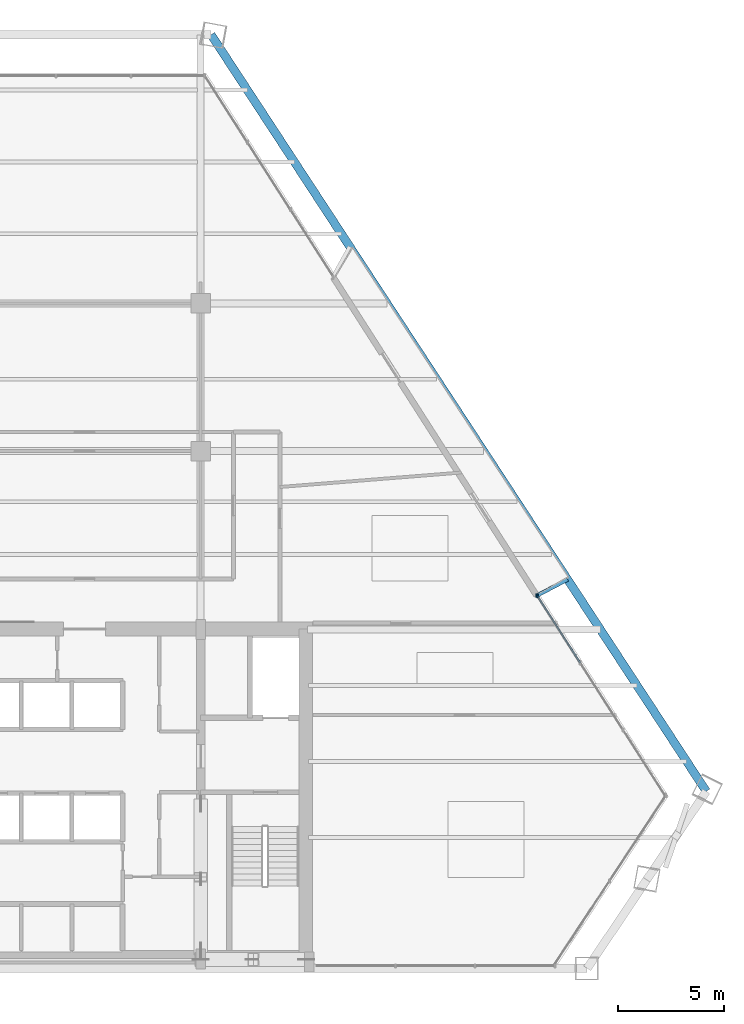
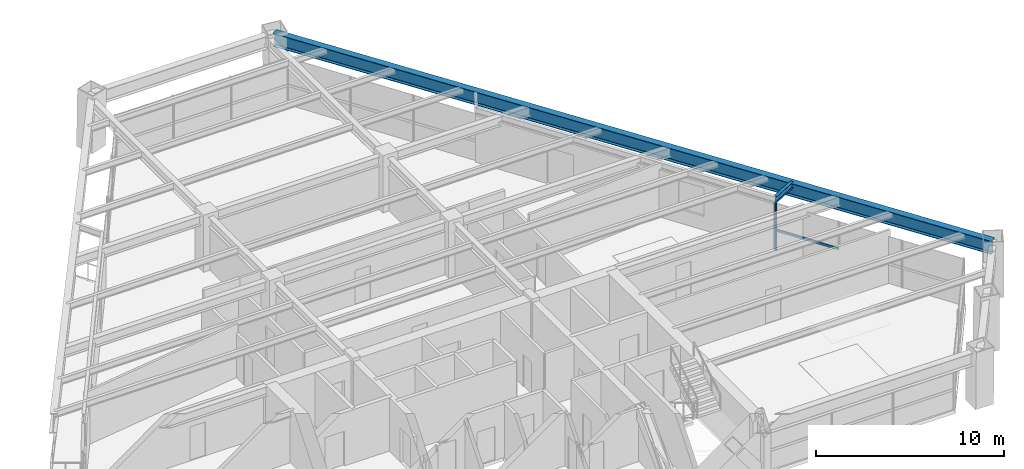
# One storey, part 7 of 14: 3 members, 2 beams, 1 element without a shape of its own.
"""IFC4 building model written with IfcOpenShell, lengths in metres."""

from ifc_helpers import new_model, si_unit, direction, frame, origin, origin_2d, place, context, subcontext, project, spatial, rectangle, i_section, extrude, source, transform, mapped, material, material_profile, profile_set, type_object, type_shapes, element, aggregate, save


model = new_model("IFC4")

# Units and contexts
model_context = context("Model", 3, precision=1e-05, world=origin(), true_north=direction((0.0, 1.0)))
body_context = subcontext(model_context, "Body", "Model", "MODEL_VIEW")
ifc_project = project(units=[si_unit("LENGTHUNIT", "METRE"), si_unit("AREAUNIT", "SQUARE_METRE"), si_unit("VOLUMEUNIT", "CUBIC_METRE"), si_unit("PLANEANGLEUNIT", "RADIAN"), si_unit("MASSUNIT", "GRAM", prefix="KILO")], contexts=[model_context])

# Site, building, storey
site_placement = place(None, origin())
site = spatial("IfcSite", under=ifc_project, at=site_placement, CompositionType="ELEMENT")
building_placement = place(site_placement, origin())
building = spatial("IfcBuilding", under=site, at=building_placement, Name="Varnakhor Terracotta Tower", CompositionType="ELEMENT")
storey_placement = place(building_placement, frame((0.0, 0.0, 125.60009765625)))
storey = spatial("IfcBuildingStorey", under=building, at=storey_placement, Name="L31", CompositionType="ELEMENT", Elevation=125.60009765625)

# Beam
ifc_material_1 = material(Name="Steel S355", Category="steel")
ifc_material_profile_1 = material_profile(ifc_material_1, i_section(OverallWidth=0.39990234375, OverallDepth=0.85498046875, WebThickness=0.01806640625, FlangeThickness=0.029052734375, FilletRadius=0.01806640625, at=origin_2d()), Name="W33X201")
ifc_profile_set_1 = profile_set([ifc_material_profile_1], Name="Steel S355")
beam_type_1 = type_object("IfcBeamType", Name="BM-W33X201", PredefinedType="BEAM", material=ifc_profile_set_1)
shared_shape_1 = source(origin(), body_context, "Body", "SweptSolid", [
    extrude(i_section(OverallWidth=0.39990234375, OverallDepth=0.85498046875, WebThickness=0.01806640625, FlangeThickness=0.029052734375, FilletRadius=0.01806640625, at=origin_2d()), origin(), (0.0, 0.0, 1.0), 42.82470703125),
])
beam_1_placement = place(storey_placement, frame((29.447265625, 8.386962890625, 3.04248046875), z_axis=(-0.547573110506, 0.836757843495, 0.0), x_axis=(-0.836757843495, -0.547573110506, 0.0)))
element("IfcBeam", 1, at=beam_1_placement, inside=storey, type_object=beam_type_1, Name="L31 Perimeter Spandrel 4", PredefinedType="BEAM", context=body_context, shape_type="MappedRepresentation", body=[
    mapped(shared_shape_1, transform((0.0, 0.0, 0.0), scale=1.0)),
])

# Curtain wall, members
ifc_material_2 = material(Name="Anodised Aluminium Curtain Wall System", Category="aluminium")
curtain_wall_type = type_object("IfcCurtainWallType", Name="CW-SYS-MID-OFFICE", PredefinedType="NOTDEFINED", material=ifc_material_2)
curtain_wall_placement = place(storey_placement, origin())
curtain_wall = element("IfcCurtainWall", 2, at=curtain_wall_placement, inside=storey, type_object=curtain_wall_type, Name="L31 E Facet Curtain Wall 2", PredefinedType="NOTDEFINED")
ifc_material_3 = material(Name="Anodised Aluminium 6063-T6", Category="aluminium")
ifc_material_profile_2 = material_profile(ifc_material_3, rectangle(XDim=0.070068359375, YDim=0.175048828125, at=origin_2d()), Name="ALU MULLION 70x175")
ifc_profile_set_2 = profile_set([ifc_material_profile_2], Name="Anodised Aluminium 6063-T6")
member_type_1 = type_object("IfcMemberType", Name="CWM-03", PredefinedType="MULLION", material=ifc_profile_set_2)
shared_shape_2 = source(origin(), body_context, "Body", "SweptSolid", [
    extrude(rectangle(XDim=0.070068359375, YDim=0.175048828125, at=origin_2d()), origin(), (0.0, 0.0, 1.0), 3.0498046875),
])
type_shapes(member_type_1, [shared_shape_2])
member_1_placement = place(storey_placement, frame((21.444091796875, 17.653076171875, 0.0), z_axis=(0.0, 0.0, 1.0), x_axis=(1.0, 0.0, 0.0)))
member_1 = element("IfcMember", 3, at=member_1_placement, type_object=member_type_1, Name="L31 E Facet Curtain Wall 2 Mullion 1", PredefinedType="MULLION", context=body_context, shape_type="MappedRepresentation", body=[
    mapped(shared_shape_2, transform((0.0, 0.0, 0.0), scale=1.0)),
])
member_2_placement = place(storey_placement, frame((21.4111328125, 17.66748046875, 0.0), z_axis=(0.0, 0.0, 1.0), x_axis=(1.0, 0.0, 0.0)))
member_2 = element("IfcMember", 4, at=member_2_placement, type_object=member_type_1, Name="L31 E Loggia Jamb Closure Mullion 2", PredefinedType="MULLION", context=body_context, shape_type="MappedRepresentation", body=[
    mapped(shared_shape_2, transform((0.0, 0.0, 0.0), scale=1.0)),
])
ifc_material_profile_3 = material_profile(ifc_material_3, rectangle(XDim=0.070068359375, YDim=0.155029296875, at=origin_2d()), Name="ALU TRANSOM 70x155")
ifc_profile_set_3 = profile_set([ifc_material_profile_3], Name="Anodised Aluminium 6063-T6")
member_type_2 = type_object("IfcMemberType", Name="CWT-03", PredefinedType="USERDEFINED", material=ifc_profile_set_3)
shared_shape_3 = source(origin(), body_context, "Body", "SweptSolid", [
    extrude(rectangle(XDim=0.070068359375, YDim=0.155029296875, at=origin_2d()), origin(), (0.0, 0.0, 1.0), 3.773193359375),
])
member_3_placement = place(storey_placement, frame((21.444091796875, 17.653076171875, 1.281005859375), z_axis=(0.538666219383, -0.842519260371, 0.0), x_axis=(0.842519260371, 0.538666219383, 0.0)))
member_3 = element("IfcMember", 5, at=member_3_placement, type_object=member_type_2, Name="L31 E Facet Curtain Wall 2 Transom 1", ObjectType="TRANSOM", PredefinedType="USERDEFINED", context=body_context, shape_type="MappedRepresentation", body=[
    mapped(shared_shape_3, transform((0.0, 0.0, 0.0), scale=1.0)),
])
aggregate(curtain_wall, [member_1, member_3, member_2])

# Beam
ifc_material_profile_4 = material_profile(ifc_material_1, i_section(OverallWidth=0.179931640625, OverallDepth=0.39990234375, WebThickness=0.008544921875, FlangeThickness=0.013427734375, FilletRadius=0.01806640625, at=origin_2d()), Name="IPE400")
ifc_profile_set_4 = profile_set([ifc_material_profile_4], Name="Steel S355")
beam_type_2 = type_object("IfcBeamType", Name="JST-IPE400", PredefinedType="JOIST", material=ifc_profile_set_4)
shared_shape_4 = source(origin(), body_context, "Body", "SweptSolid", [
    extrude(i_section(OverallWidth=0.179931640625, OverallDepth=0.39990234375, WebThickness=0.008544921875, FlangeThickness=0.013427734375, FilletRadius=0.01806640625, at=origin_2d()), origin(), (0.0, 0.0, 1.0), 1.6162109375),
])
beam_2_placement = place(storey_placement, frame((21.45068359375, 17.668701171875, 3.27001953125), z_axis=(0.885242421176, 0.465129934266, 0.0), x_axis=(-0.465129934266, 0.885242421176, 0.0)))
element("IfcBeam", 6, at=beam_2_placement, inside=storey, type_object=beam_type_2, Name="L32 E Loggia Tie Beam 2", PredefinedType="JOIST", context=body_context, shape_type="MappedRepresentation", body=[
    mapped(shared_shape_4, transform((0.0, 0.0, 0.0), scale=1.0)),
])

save(model, "model.ifc")
